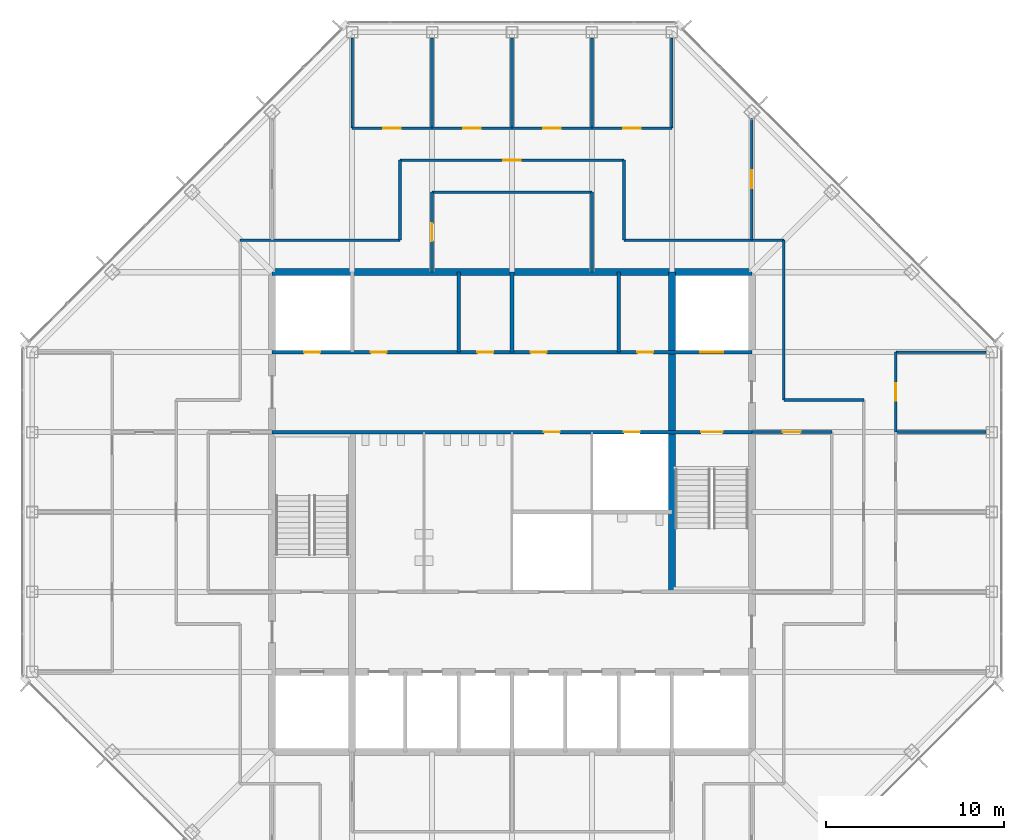
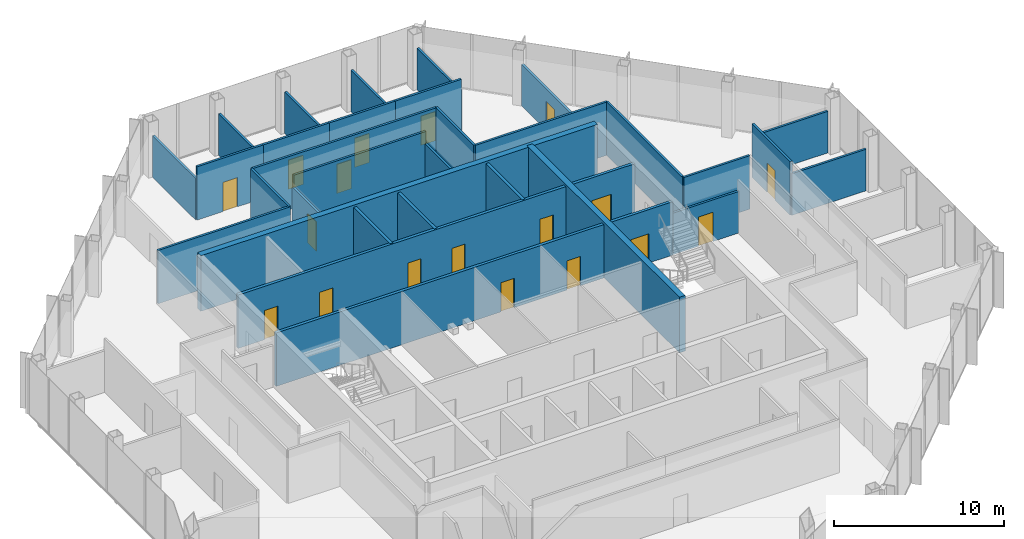
# One storey, part 11 of 14: 31 walls, 18 doors, 18 openings.
"""IFC4 building model written with IfcOpenShell, lengths in metres."""

from ifc_helpers import new_model, si_unit, direction, frame, frame_2d, origin, place, context, subcontext, project, spatial, rectangle, extrude, material, layer, layer_set, type_object, element, fill, save


model = new_model("IFC4")

# Units and contexts
model_context = context("Model", 3, precision=1e-05, world=origin(), true_north=direction((0.0, 1.0)))
body_context = subcontext(model_context, "Body", "Model", "MODEL_VIEW")
ifc_project = project(units=[si_unit("LENGTHUNIT", "METRE"), si_unit("AREAUNIT", "SQUARE_METRE"), si_unit("VOLUMEUNIT", "CUBIC_METRE"), si_unit("PLANEANGLEUNIT", "RADIAN"), si_unit("MASSUNIT", "GRAM", prefix="KILO")], contexts=[model_context])

# Site, building, storey
site_placement = place(None, origin())
site = spatial("IfcSite", under=ifc_project, at=site_placement, CompositionType="ELEMENT")
building_placement = place(site_placement, origin())
building = spatial("IfcBuilding", under=site, at=building_placement, Name="Corais Broadcast Tower", CompositionType="ELEMENT")
storey_placement = place(building_placement, frame((0.0, 0.0, 214.60009765625)))
storey = spatial("IfcBuildingStorey", under=building, at=storey_placement, Name="L49", CompositionType="ELEMENT", Elevation=214.60009765625)

# Wall, openings, doors
ifc_material_1 = material(Name="Concrete blockwork class A, grouted, two-hour", Category="masonry")
ifc_layer_1 = layer(ifc_material_1, 0.199951171875)
ifc_layer_set_1 = layer_set([ifc_layer_1], Name="Concrete blockwork class A, grouted, two-hour")
wall_type_1 = type_object("IfcWallType", Name="Core lobby wall 200", PredefinedType="SOLIDWALL", material=ifc_layer_set_1)
wall_1_placement = place(storey_placement, frame((13.5, 31.5, 0.0), z_axis=(0.0, 0.0, 1.0), x_axis=(1.0, 0.0, 0.0)))
wall_1 = element("IfcWall", 1, at=wall_1_placement, inside=storey, type_object=wall_type_1, Name="CL3 core lobby wall Y315 L49", PredefinedType="SOLIDWALL", context=body_context, shape_type="SweptSolid", body=[
    extrude(rectangle(XDim=27.0, YDim=0.199951171875, at=frame_2d((13.5, 0.0))), origin(), (0.0, 0.0, 1.0), 3.83984375),
])
opening_1_placement = place(wall_1_placement, frame((24.14990234375, 0.0, 0.0)))
opening_1 = element("IfcOpeningElement", 2, at=opening_1_placement, cuts=wall_1, Name="Opening FD1", PredefinedType="OPENING", context=body_context, shape_type="SweptSolid", body=[
    extrude(rectangle(XDim=1.199951171875, YDim=2.10009765625, at=frame_2d((0.60009765625, 1.050048828125))), frame((0.0, 0.10986328125, 0.0), z_axis=(0.0, -1.0, 0.0), x_axis=(1.0, 0.0, 0.0)), (0.0, 0.0, 1.0), 0.219970703125),
])
opening_2_placement = place(wall_1_placement, frame((15.300048828125, 0.0, 0.0)))
opening_2 = element("IfcOpeningElement", 3, at=opening_2_placement, cuts=wall_1, Name="Opening RD1", PredefinedType="OPENING", context=body_context, shape_type="SweptSolid", body=[
    extrude(rectangle(XDim=0.89990234375, YDim=2.10009765625, at=frame_2d((0.449951171875, 1.050048828125))), frame((0.0, 0.10986328125, 0.0), z_axis=(0.0, -1.0, 0.0), x_axis=(1.0, 0.0, 0.0)), (0.0, 0.0, 1.0), 0.219970703125),
])
opening_3_placement = place(wall_1_placement, frame((19.800048828125, 0.0, 0.0)))
opening_3 = element("IfcOpeningElement", 4, at=opening_3_placement, cuts=wall_1, Name="Opening RD1", PredefinedType="OPENING", context=body_context, shape_type="SweptSolid", body=[
    extrude(rectangle(XDim=0.89990234375, YDim=2.10009765625, at=frame_2d((0.449951171875, 1.050048828125))), frame((0.0, 0.10986328125, 0.0), z_axis=(0.0, -1.0, 0.0), x_axis=(1.0, 0.0, 0.0)), (0.0, 0.0, 1.0), 0.219970703125),
])
ifc_material_2 = material(Name="Steel fire door", Category="steel")
door_type_1 = type_object("IfcDoorType", Name="Fire door 1200x2100", OperationType="SINGLE_SWING_LEFT", PredefinedType="DOOR", material=ifc_material_2)
door_1_placement = place(opening_1_placement, origin())
door_1 = element("IfcDoor", 5, at=door_1_placement, inside=storey, type_object=door_type_1, Name="FD1 stair B door L49", OperationType="SINGLE_SWING_RIGHT", OverallHeight=2.10009765625, OverallWidth=1.199951171875, PredefinedType="DOOR", context=body_context, shape_type="SweptSolid", body=[
    extrude(rectangle(XDim=1.199951171875, YDim=2.10009765625, at=frame_2d((0.60009765625, 1.050048828125))), frame((0.0, 0.02490234375, 0.0), z_axis=(0.0, -1.0, 0.0), x_axis=(1.0, 0.0, 0.0)), (0.0, 0.0, 1.0), 0.050048828125),
])
fill(opening_1, door_1)
ifc_material_3 = material(Name="Steel fire door", Category="steel")
door_type_2 = type_object("IfcDoorType", Name="Riser door 900x2100", OperationType="SINGLE_SWING_LEFT", PredefinedType="DOOR", material=ifc_material_3)
door_2_placement = place(opening_2_placement, origin())
door_2 = element("IfcDoor", 6, at=door_2_placement, inside=storey, type_object=door_type_2, Name="RD1 vending room door L49", OperationType="SINGLE_SWING_RIGHT", OverallHeight=2.10009765625, OverallWidth=0.89990234375, PredefinedType="DOOR", context=body_context, shape_type="SweptSolid", body=[
    extrude(rectangle(XDim=0.89990234375, YDim=2.10009765625, at=frame_2d((0.449951171875, 1.050048828125))), frame((0.0, 0.02490234375, 0.0), z_axis=(0.0, -1.0, 0.0), x_axis=(1.0, 0.0, 0.0)), (0.0, 0.0, 1.0), 0.050048828125),
])
fill(opening_2, door_2)
door_3_placement = place(opening_3_placement, origin())
door_3 = element("IfcDoor", 7, at=door_3_placement, inside=storey, type_object=door_type_2, Name="RD1 riser door L49", OperationType="SINGLE_SWING_RIGHT", OverallHeight=2.10009765625, OverallWidth=0.89990234375, PredefinedType="DOOR", context=body_context, shape_type="SweptSolid", body=[
    extrude(rectangle(XDim=0.89990234375, YDim=2.10009765625, at=frame_2d((0.449951171875, 1.050048828125))), frame((0.0, 0.02490234375, 0.0), z_axis=(0.0, -1.0, 0.0), x_axis=(1.0, 0.0, 0.0)), (0.0, 0.0, 1.0), 0.050048828125),
])
fill(opening_3, door_3)

# Walls
ifc_material_4 = material(Name="Concrete C50/60", Category="concrete")
ifc_layer_2 = layer(ifc_material_4, 0.39990234375)
ifc_layer_set_2 = layer_set([ifc_layer_2], Name="Concrete C50/60")
wall_type_2 = type_object("IfcWallType", Name="Core wall 400", PredefinedType="SHEAR", material=ifc_layer_set_2)
wall_2_placement = place(storey_placement, frame((40.5, 40.5, 0.0), z_axis=(0.0, 0.0, 1.0), x_axis=(-1.0, 0.0, 0.0)))
element("IfcWall", 8, at=wall_2_placement, inside=storey, type_object=wall_type_2, Name="CR400 core wall N L49", PredefinedType="SHEAR", context=body_context, shape_type="SweptSolid", body=[
    extrude(rectangle(XDim=27.0, YDim=0.39990234375, at=frame_2d((13.5, 0.0))), origin(), (0.0, 0.0, 1.0), 4.0),
])
wall_3_placement = place(storey_placement, frame((36.0, 22.5, 0.0), z_axis=(0.0, 0.0, 1.0), x_axis=(0.0, 1.0, 0.0)))
element("IfcWall", 9, at=wall_3_placement, inside=storey, type_object=wall_type_2, Name="CR400 core wall X36B L49", PredefinedType="SHEAR", context=body_context, shape_type="SweptSolid", body=[
    extrude(rectangle(XDim=18.0, YDim=0.39990234375, at=frame_2d((9.0, 0.0))), origin(), (0.0, 0.0, 1.0), 4.0),
])

# Wall, openings, doors
ifc_material_5 = material(Name="Concrete blockwork class A, grouted, four-hour", Category="masonry")
ifc_layer_3 = layer(ifc_material_5, 0.199951171875)
ifc_layer_set_3 = layer_set([ifc_layer_3], Name="Concrete blockwork class A, grouted, four-hour")
wall_type_3 = type_object("IfcWallType", Name="Emergency lift shaft wall 200", PredefinedType="SOLIDWALL", material=ifc_layer_set_3)
wall_4_placement = place(storey_placement, frame((13.5, 36.0, 0.0), z_axis=(0.0, 0.0, 1.0), x_axis=(1.0, 0.0, 0.0)))
wall_4 = element("IfcWall", 10, at=wall_4_placement, inside=storey, type_object=wall_type_3, Name="LS3 core lobby wall Y36 L49", PredefinedType="SOLIDWALL", context=body_context, shape_type="SweptSolid", body=[
    extrude(rectangle(XDim=27.0, YDim=0.199951171875, at=frame_2d((13.5, 0.0))), origin(), (0.0, 0.0, 1.0), 3.83984375),
])
opening_4_placement = place(wall_4_placement, frame((1.800048828125, 0.0, 0.0)))
opening_4 = element("IfcOpeningElement", 11, at=opening_4_placement, cuts=wall_4, Name="Opening RD1", PredefinedType="OPENING", context=body_context, shape_type="SweptSolid", body=[
    extrude(rectangle(XDim=0.89990234375, YDim=2.10009765625, at=frame_2d((0.449951171875, 1.050048828125))), frame((0.0, 0.10986328125, 0.0), z_axis=(0.0, -1.0, 0.0), x_axis=(1.0, 0.0, 0.0)), (0.0, 0.0, 1.0), 0.219970703125),
])
opening_5_placement = place(wall_4_placement, frame((5.550048828125, 0.0, 0.0)))
opening_5 = element("IfcOpeningElement", 12, at=opening_5_placement, cuts=wall_4, Name="Opening RD1", PredefinedType="OPENING", context=body_context, shape_type="SweptSolid", body=[
    extrude(rectangle(XDim=0.89990234375, YDim=2.10009765625, at=frame_2d((0.449951171875, 1.050048828125))), frame((0.0, 0.10986328125, 0.0), z_axis=(0.0, -1.0, 0.0), x_axis=(1.0, 0.0, 0.0)), (0.0, 0.0, 1.0), 0.219970703125),
])
opening_6_placement = place(wall_4_placement, frame((11.550048828125, 0.0, 0.0)))
opening_6 = element("IfcOpeningElement", 13, at=opening_6_placement, cuts=wall_4, Name="Opening RD1", PredefinedType="OPENING", context=body_context, shape_type="SweptSolid", body=[
    extrude(rectangle(XDim=0.89990234375, YDim=2.10009765625, at=frame_2d((0.449951171875, 1.050048828125))), frame((0.0, 0.10986328125, 0.0), z_axis=(0.0, -1.0, 0.0), x_axis=(1.0, 0.0, 0.0)), (0.0, 0.0, 1.0), 0.219970703125),
])
opening_7_placement = place(wall_4_placement, frame((14.550048828125, 0.0, 0.0)))
opening_7 = element("IfcOpeningElement", 14, at=opening_7_placement, cuts=wall_4, Name="Opening RD1", PredefinedType="OPENING", context=body_context, shape_type="SweptSolid", body=[
    extrude(rectangle(XDim=0.89990234375, YDim=2.10009765625, at=frame_2d((0.449951171875, 1.050048828125))), frame((0.0, 0.10986328125, 0.0), z_axis=(0.0, -1.0, 0.0), x_axis=(1.0, 0.0, 0.0)), (0.0, 0.0, 1.0), 0.219970703125),
])
opening_8_placement = place(wall_4_placement, frame((20.550048828125, 0.0, 0.0)))
opening_8 = element("IfcOpeningElement", 15, at=opening_8_placement, cuts=wall_4, Name="Opening RD1", PredefinedType="OPENING", context=body_context, shape_type="SweptSolid", body=[
    extrude(rectangle(XDim=0.89990234375, YDim=2.10009765625, at=frame_2d((0.449951171875, 1.050048828125))), frame((0.0, 0.10986328125, 0.0), z_axis=(0.0, -1.0, 0.0), x_axis=(1.0, 0.0, 0.0)), (0.0, 0.0, 1.0), 0.219970703125),
])
opening_9_placement = place(wall_4_placement, frame((24.10009765625, 0.0, 0.0)))
opening_9 = element("IfcOpeningElement", 16, at=opening_9_placement, cuts=wall_4, Name="Opening LD2", PredefinedType="OPENING", context=body_context, shape_type="SweptSolid", body=[
    extrude(rectangle(XDim=1.300048828125, YDim=2.199951171875, at=frame_2d((0.64990234375, 1.10009765625))), frame((0.0, 0.10986328125, 0.0), z_axis=(0.0, -1.0, 0.0), x_axis=(1.0, 0.0, 0.0)), (0.0, 0.0, 1.0), 0.219970703125),
])
ifc_material_6 = material(Name="Stainless steel lift door", Category="steel")
door_type_3 = type_object("IfcDoorType", Name="Lift landing door 1300x2200", OperationType="SLIDING_TO_LEFT", PredefinedType="DOOR", material=ifc_material_6)
door_4_placement = place(opening_9_placement, origin())
door_4 = element("IfcDoor", 17, at=door_4_placement, inside=storey, type_object=door_type_3, Name="LD2 FL2 landing door L49", OperationType="SLIDING_TO_LEFT", OverallHeight=2.199951171875, OverallWidth=1.300048828125, PredefinedType="DOOR", context=body_context, shape_type="SweptSolid", body=[
    extrude(rectangle(XDim=1.300048828125, YDim=2.199951171875, at=frame_2d((0.64990234375, 1.10009765625))), frame((0.0, 0.02490234375, 0.0), z_axis=(0.0, -1.0, 0.0), x_axis=(1.0, 0.0, 0.0)), (0.0, 0.0, 1.0), 0.050048828125),
])
fill(opening_9, door_4)
door_5_placement = place(opening_4_placement, origin())
door_5 = element("IfcDoor", 18, at=door_5_placement, inside=storey, type_object=door_type_2, Name="RD1 riser door L49", OperationType="SINGLE_SWING_LEFT", OverallHeight=2.10009765625, OverallWidth=0.89990234375, PredefinedType="DOOR", context=body_context, shape_type="SweptSolid", body=[
    extrude(rectangle(XDim=0.89990234375, YDim=2.10009765625, at=frame_2d((0.449951171875, 1.050048828125))), frame((0.0, 0.02490234375, 0.0), z_axis=(0.0, -1.0, 0.0), x_axis=(1.0, 0.0, 0.0)), (0.0, 0.0, 1.0), 0.050048828125),
])
fill(opening_4, door_5)
door_6_placement = place(opening_5_placement, origin())
door_6 = element("IfcDoor", 19, at=door_6_placement, inside=storey, type_object=door_type_2, Name="RD1 print room door L49", OperationType="SINGLE_SWING_LEFT", OverallHeight=2.10009765625, OverallWidth=0.89990234375, PredefinedType="DOOR", context=body_context, shape_type="SweptSolid", body=[
    extrude(rectangle(XDim=0.89990234375, YDim=2.10009765625, at=frame_2d((0.449951171875, 1.050048828125))), frame((0.0, 0.02490234375, 0.0), z_axis=(0.0, -1.0, 0.0), x_axis=(1.0, 0.0, 0.0)), (0.0, 0.0, 1.0), 0.050048828125),
])
fill(opening_5, door_6)
door_7_placement = place(opening_6_placement, origin())
door_7 = element("IfcDoor", 20, at=door_7_placement, inside=storey, type_object=door_type_2, Name="RD1 wellness room door L49", OperationType="SINGLE_SWING_LEFT", OverallHeight=2.10009765625, OverallWidth=0.89990234375, PredefinedType="DOOR", context=body_context, shape_type="SweptSolid", body=[
    extrude(rectangle(XDim=0.89990234375, YDim=2.10009765625, at=frame_2d((0.449951171875, 1.050048828125))), frame((0.0, 0.02490234375, 0.0), z_axis=(0.0, -1.0, 0.0), x_axis=(1.0, 0.0, 0.0)), (0.0, 0.0, 1.0), 0.050048828125),
])
fill(opening_6, door_7)
door_8_placement = place(opening_7_placement, origin())
door_8 = element("IfcDoor", 21, at=door_8_placement, inside=storey, type_object=door_type_2, Name="RD1 first aid room door L49", OperationType="SINGLE_SWING_RIGHT", OverallHeight=2.10009765625, OverallWidth=0.89990234375, PredefinedType="DOOR", context=body_context, shape_type="SweptSolid", body=[
    extrude(rectangle(XDim=0.89990234375, YDim=2.10009765625, at=frame_2d((0.449951171875, 1.050048828125))), frame((0.0, 0.02490234375, 0.0), z_axis=(0.0, -1.0, 0.0), x_axis=(1.0, 0.0, 0.0)), (0.0, 0.0, 1.0), 0.050048828125),
])
fill(opening_7, door_8)
door_9_placement = place(opening_8_placement, origin())
door_9 = element("IfcDoor", 22, at=door_9_placement, inside=storey, type_object=door_type_2, Name="RD1 stationery store door L49", OperationType="SINGLE_SWING_RIGHT", OverallHeight=2.10009765625, OverallWidth=0.89990234375, PredefinedType="DOOR", context=body_context, shape_type="SweptSolid", body=[
    extrude(rectangle(XDim=0.89990234375, YDim=2.10009765625, at=frame_2d((0.449951171875, 1.050048828125))), frame((0.0, 0.02490234375, 0.0), z_axis=(0.0, -1.0, 0.0), x_axis=(1.0, 0.0, 0.0)), (0.0, 0.0, 1.0), 0.050048828125),
])
fill(opening_8, door_9)

# Wall, opening, door
ifc_material_7 = material(Name="Gypsum board on steel studs", Category="steel")
ifc_layer_4 = layer(ifc_material_7, 0.14990234375)
ifc_layer_set_4 = layer_set([ifc_layer_4], Name="Gypsum board on steel studs")
wall_type_4 = type_object("IfcWallType", Name="Partition 150", PredefinedType="PARTITIONING", material=ifc_layer_set_4)
wall_5_placement = place(storey_placement, frame((33.300048828125, 46.800048828125, 0.0), z_axis=(0.0, 0.0, 1.0), x_axis=(-1.0, 0.0, 0.0)))
wall_5 = element("IfcWall", 23, at=wall_5_placement, inside=storey, type_object=wall_type_4, Name="IW3 corridor wall L49", PredefinedType="PARTITIONING", context=body_context, shape_type="SweptSolid", body=[
    extrude(rectangle(XDim=12.60009765625, YDim=0.14990234375, at=frame_2d((6.300048828125, 0.0))), origin(), (0.0, 0.0, 1.0), 3.83984375),
])
opening_10_placement = place(wall_5_placement, frame((5.800048828125, 0.0, 0.0)))
opening_10 = element("IfcOpeningElement", 24, at=opening_10_placement, cuts=wall_5, Name="Opening D1", PredefinedType="OPENING", context=body_context, shape_type="SweptSolid", body=[
    extrude(rectangle(XDim=1.0, YDim=2.10009765625, at=frame_2d((0.5, 1.050048828125))), frame((0.0, 0.0849609375, 0.0), z_axis=(0.0, -1.0, 0.0), x_axis=(1.0, 0.0, 0.0)), (0.0, 0.0, 1.0), 0.169921875),
])
ifc_material_8 = material(Name="Timber door", Category="wood")
door_type_4 = type_object("IfcDoorType", Name="Single door 1000x2100", OperationType="SINGLE_SWING_LEFT", PredefinedType="DOOR", material=ifc_material_8)
door_10_placement = place(opening_10_placement, origin())
door_10 = element("IfcDoor", 25, at=door_10_placement, inside=storey, type_object=door_type_4, Name="D1 workplace door L49", OperationType="SINGLE_SWING_LEFT", OverallHeight=2.10009765625, OverallWidth=1.0, PredefinedType="DOOR", context=body_context, shape_type="SweptSolid", body=[
    extrude(rectangle(XDim=1.0, YDim=2.10009765625, at=frame_2d((0.5, 1.050048828125))), frame((0.0, 0.02490234375, 0.0), z_axis=(0.0, -1.0, 0.0), x_axis=(1.0, 0.0, 0.0)), (0.0, 0.0, 1.0), 0.050048828125),
])
fill(opening_10, door_10)

# Walls
for number, where, z_axis, x_axis, name in (
    (26, (20.699951171875, 42.300048828125, 0.0), (0.0, 0.0, 1.0), (-1.0, 0.0, 0.0), "IW3 corridor wall L49"),
    (27, (42.300048828125, 33.300048828125, 0.0), (0.0, 0.0, 1.0), (0.0, 1.0, 0.0), "IW3 corridor wall L49"),
    (28, (42.300048828125, 42.300048828125, 0.0), (0.0, 0.0, 1.0), (-1.0, 0.0, 0.0), "IW3 corridor wall L49"),
):
    element("IfcWall", number, at=place(storey_placement, frame(where, z_axis=z_axis, x_axis=x_axis)), inside=storey, type_object=wall_type_4, Name=name, PredefinedType="PARTITIONING", context=body_context, shape_type="SweptSolid", body=[
        extrude(rectangle(XDim=9.0, YDim=0.14990234375, at=frame_2d((4.5, 0.0))), origin(), (0.0, 0.0, 1.0), 3.83984375),
    ])
for number, where, z_axis, x_axis, name in (
    (29, (20.699951171875, 46.800048828125, 0.0), (0.0, 0.0, 1.0), (0.0, -1.0, 0.0), "IW3 corridor wall L49"),
    (30, (33.300048828125, 42.300048828125, 0.0), (0.0, 0.0, 1.0), (0.0, 1.0, 0.0), "IW3 corridor wall L49"),
    (31, (46.800048828125, 33.300048828125, 0.0), (0.0, 0.0, 1.0), (-1.0, 0.0, 0.0), "IW3 corridor wall L49"),
):
    element("IfcWall", number, at=place(storey_placement, frame(where, z_axis=z_axis, x_axis=x_axis)), inside=storey, type_object=wall_type_4, Name=name, PredefinedType="PARTITIONING", context=body_context, shape_type="SweptSolid", body=[
        extrude(rectangle(XDim=4.5, YDim=0.14990234375, at=frame_2d((2.25, 0.0))), origin(), (0.0, 0.0, 1.0), 3.83984375),
    ])
for number, where, z_axis, x_axis, name in (
    (32, (53.6650390625, 31.5, 0.0), (0.0, 0.0, 1.0), (-1.0, 0.0, 0.0), "IW3 partition L49"),
    (33, (53.6650390625, 36.0, 0.0), (0.0, 0.0, 1.0), (-1.0, 0.0, 0.0), "IW3 partition L49"),
):
    element("IfcWall", number, at=place(storey_placement, frame(where, z_axis=z_axis, x_axis=x_axis)), inside=storey, type_object=wall_type_4, Name=name, PredefinedType="PARTITIONING", context=body_context, shape_type="SweptSolid", body=[
        extrude(rectangle(XDim=5.06494140625, YDim=0.14990234375, at=frame_2d((2.532470703125, 0.0))), origin(), (0.0, 0.0, 1.0), 2.989013671875),
    ])

# Wall, opening, door
wall_6_placement = place(storey_placement, frame((48.60009765625, 36.0, 0.0), z_axis=(0.0, 0.0, 1.0), x_axis=(0.0, -1.0, 0.0)))
wall_6 = element("IfcWall", 34, at=wall_6_placement, inside=storey, type_object=wall_type_4, Name="IW3 partition L49", PredefinedType="PARTITIONING", context=body_context, shape_type="SweptSolid", body=[
    extrude(rectangle(XDim=4.5, YDim=0.14990234375, at=frame_2d((2.25, 0.0))), origin(), (0.0, 0.0, 1.0), 3.83984375),
])
opening_11_placement = place(wall_6_placement, frame((1.75, 0.0, 0.0)))
opening_11 = element("IfcOpeningElement", 35, at=opening_11_placement, cuts=wall_6, Name="Opening D1", PredefinedType="OPENING", context=body_context, shape_type="SweptSolid", body=[
    extrude(rectangle(XDim=1.0, YDim=2.10009765625, at=frame_2d((0.5, 1.050048828125))), frame((0.0, 0.0849609375, 0.0), z_axis=(0.0, -1.0, 0.0), x_axis=(1.0, 0.0, 0.0)), (0.0, 0.0, 1.0), 0.169921875),
])
door_11_placement = place(opening_11_placement, origin())
door_11 = element("IfcDoor", 36, at=door_11_placement, inside=storey, type_object=door_type_4, Name="D1 Office door", OperationType="SINGLE_SWING_LEFT", OverallHeight=2.10009765625, OverallWidth=1.0, PredefinedType="DOOR", context=body_context, shape_type="SweptSolid", body=[
    extrude(rectangle(XDim=1.0, YDim=2.10009765625, at=frame_2d((0.5, 1.050048828125))), frame((0.0, 0.02490234375, 0.0), z_axis=(0.0, -1.0, 0.0), x_axis=(1.0, 0.0, 0.0)), (0.0, 0.0, 1.0), 0.050048828125),
])
fill(opening_11, door_11)

wall_7_placement = place(storey_placement, frame((18.0, 48.60009765625, 0.0), z_axis=(0.0, 0.0, 1.0), x_axis=(1.0, 0.0, 0.0)))
wall_7 = element("IfcWall", 37, at=wall_7_placement, inside=storey, type_object=wall_type_4, Name="IW3 partition L49", PredefinedType="PARTITIONING", context=body_context, shape_type="SweptSolid", body=[
    extrude(rectangle(XDim=4.5, YDim=0.14990234375, at=frame_2d((2.25, 0.0))), origin(), (0.0, 0.0, 1.0), 3.83984375),
])
opening_12_placement = place(wall_7_placement, frame((1.75, 0.0, 0.0)))
opening_12 = element("IfcOpeningElement", 38, at=opening_12_placement, cuts=wall_7, Name="Opening D1", PredefinedType="OPENING", context=body_context, shape_type="SweptSolid", body=[
    extrude(rectangle(XDim=1.0, YDim=2.10009765625, at=frame_2d((0.5, 1.050048828125))), frame((0.0, 0.0849609375, 0.0), z_axis=(0.0, -1.0, 0.0), x_axis=(1.0, 0.0, 0.0)), (0.0, 0.0, 1.0), 0.169921875),
])
door_12_placement = place(opening_12_placement, origin())
door_12 = element("IfcDoor", 39, at=door_12_placement, inside=storey, type_object=door_type_4, Name="D1 Office door", OperationType="SINGLE_SWING_LEFT", OverallHeight=2.10009765625, OverallWidth=1.0, PredefinedType="DOOR", context=body_context, shape_type="SweptSolid", body=[
    extrude(rectangle(XDim=1.0, YDim=2.10009765625, at=frame_2d((0.5, 1.050048828125))), frame((0.0, 0.02490234375, 0.0), z_axis=(0.0, -1.0, 0.0), x_axis=(1.0, 0.0, 0.0)), (0.0, 0.0, 1.0), 0.050048828125),
])
fill(opening_12, door_12)

# Walls
for number, where, z_axis, x_axis, name in (
    (40, (22.5, 48.60009765625, 0.0), (0.0, 0.0, 1.0), (0.0, 1.0, 0.0), "IW3 partition L49"),
    (41, (18.0, 53.6650390625, 0.0), (0.0, 0.0, 1.0), (0.0, -1.0, 0.0), "IW3 partition L49"),
):
    element("IfcWall", number, at=place(storey_placement, frame(where, z_axis=z_axis, x_axis=x_axis)), inside=storey, type_object=wall_type_4, Name=name, PredefinedType="PARTITIONING", context=body_context, shape_type="SweptSolid", body=[
        extrude(rectangle(XDim=5.06494140625, YDim=0.14990234375, at=frame_2d((2.532470703125, 0.0))), origin(), (0.0, 0.0, 1.0), 2.989013671875),
    ])

# Wall, opening, door
wall_8_placement = place(storey_placement, frame((22.5, 48.60009765625, 0.0), z_axis=(0.0, 0.0, 1.0), x_axis=(1.0, 0.0, 0.0)))
wall_8 = element("IfcWall", 42, at=wall_8_placement, inside=storey, type_object=wall_type_4, Name="IW3 partition L49", PredefinedType="PARTITIONING", context=body_context, shape_type="SweptSolid", body=[
    extrude(rectangle(XDim=4.5, YDim=0.14990234375, at=frame_2d((2.25, 0.0))), origin(), (0.0, 0.0, 1.0), 3.83984375),
])
opening_13_placement = place(wall_8_placement, frame((1.75, 0.0, 0.0)))
opening_13 = element("IfcOpeningElement", 43, at=opening_13_placement, cuts=wall_8, Name="Opening D1", PredefinedType="OPENING", context=body_context, shape_type="SweptSolid", body=[
    extrude(rectangle(XDim=1.0, YDim=2.10009765625, at=frame_2d((0.5, 1.050048828125))), frame((0.0, 0.0849609375, 0.0), z_axis=(0.0, -1.0, 0.0), x_axis=(1.0, 0.0, 0.0)), (0.0, 0.0, 1.0), 0.169921875),
])
door_13_placement = place(opening_13_placement, origin())
door_13 = element("IfcDoor", 44, at=door_13_placement, inside=storey, type_object=door_type_4, Name="D1 Office door", OperationType="SINGLE_SWING_LEFT", OverallHeight=2.10009765625, OverallWidth=1.0, PredefinedType="DOOR", context=body_context, shape_type="SweptSolid", body=[
    extrude(rectangle(XDim=1.0, YDim=2.10009765625, at=frame_2d((0.5, 1.050048828125))), frame((0.0, 0.02490234375, 0.0), z_axis=(0.0, -1.0, 0.0), x_axis=(1.0, 0.0, 0.0)), (0.0, 0.0, 1.0), 0.050048828125),
])
fill(opening_13, door_13)

# Wall
wall_9_placement = place(storey_placement, frame((27.0, 48.60009765625, 0.0), z_axis=(0.0, 0.0, 1.0), x_axis=(0.0, 1.0, 0.0)))
element("IfcWall", 45, at=wall_9_placement, inside=storey, type_object=wall_type_4, Name="IW3 partition L49", PredefinedType="PARTITIONING", context=body_context, shape_type="SweptSolid", body=[
    extrude(rectangle(XDim=5.06494140625, YDim=0.14990234375, at=frame_2d((2.532470703125, 0.0))), origin(), (0.0, 0.0, 1.0), 2.989013671875),
])

# Wall, opening, door
wall_10_placement = place(storey_placement, frame((27.0, 48.60009765625, 0.0), z_axis=(0.0, 0.0, 1.0), x_axis=(1.0, 0.0, 0.0)))
wall_10 = element("IfcWall", 46, at=wall_10_placement, inside=storey, type_object=wall_type_4, Name="IW3 partition L49", PredefinedType="PARTITIONING", context=body_context, shape_type="SweptSolid", body=[
    extrude(rectangle(XDim=4.5, YDim=0.14990234375, at=frame_2d((2.25, 0.0))), origin(), (0.0, 0.0, 1.0), 3.83984375),
])
opening_14_placement = place(wall_10_placement, frame((1.75, 0.0, 0.0)))
opening_14 = element("IfcOpeningElement", 47, at=opening_14_placement, cuts=wall_10, Name="Opening D1", PredefinedType="OPENING", context=body_context, shape_type="SweptSolid", body=[
    extrude(rectangle(XDim=1.0, YDim=2.10009765625, at=frame_2d((0.5, 1.050048828125))), frame((0.0, 0.0849609375, 0.0), z_axis=(0.0, -1.0, 0.0), x_axis=(1.0, 0.0, 0.0)), (0.0, 0.0, 1.0), 0.169921875),
])
door_14_placement = place(opening_14_placement, origin())
door_14 = element("IfcDoor", 48, at=door_14_placement, inside=storey, type_object=door_type_4, Name="D1 Office door", OperationType="SINGLE_SWING_LEFT", OverallHeight=2.10009765625, OverallWidth=1.0, PredefinedType="DOOR", context=body_context, shape_type="SweptSolid", body=[
    extrude(rectangle(XDim=1.0, YDim=2.10009765625, at=frame_2d((0.5, 1.050048828125))), frame((0.0, 0.02490234375, 0.0), z_axis=(0.0, -1.0, 0.0), x_axis=(1.0, 0.0, 0.0)), (0.0, 0.0, 1.0), 0.050048828125),
])
fill(opening_14, door_14)

# Wall
wall_11_placement = place(storey_placement, frame((31.5, 48.60009765625, 0.0), z_axis=(0.0, 0.0, 1.0), x_axis=(0.0, 1.0, 0.0)))
element("IfcWall", 49, at=wall_11_placement, inside=storey, type_object=wall_type_4, Name="IW3 partition L49", PredefinedType="PARTITIONING", context=body_context, shape_type="SweptSolid", body=[
    extrude(rectangle(XDim=5.06494140625, YDim=0.14990234375, at=frame_2d((2.532470703125, 0.0))), origin(), (0.0, 0.0, 1.0), 2.989013671875),
])

# Wall, opening, door
wall_12_placement = place(storey_placement, frame((31.5, 48.60009765625, 0.0), z_axis=(0.0, 0.0, 1.0), x_axis=(1.0, 0.0, 0.0)))
wall_12 = element("IfcWall", 50, at=wall_12_placement, inside=storey, type_object=wall_type_4, Name="IW3 partition L49", PredefinedType="PARTITIONING", context=body_context, shape_type="SweptSolid", body=[
    extrude(rectangle(XDim=4.5, YDim=0.14990234375, at=frame_2d((2.25, 0.0))), origin(), (0.0, 0.0, 1.0), 3.83984375),
])
opening_15_placement = place(wall_12_placement, frame((1.75, 0.0, 0.0)))
opening_15 = element("IfcOpeningElement", 51, at=opening_15_placement, cuts=wall_12, Name="Opening D1", PredefinedType="OPENING", context=body_context, shape_type="SweptSolid", body=[
    extrude(rectangle(XDim=1.0, YDim=2.10009765625, at=frame_2d((0.5, 1.050048828125))), frame((0.0, 0.0849609375, 0.0), z_axis=(0.0, -1.0, 0.0), x_axis=(1.0, 0.0, 0.0)), (0.0, 0.0, 1.0), 0.169921875),
])
door_15_placement = place(opening_15_placement, origin())
door_15 = element("IfcDoor", 52, at=door_15_placement, inside=storey, type_object=door_type_4, Name="D1 Office door", OperationType="SINGLE_SWING_LEFT", OverallHeight=2.10009765625, OverallWidth=1.0, PredefinedType="DOOR", context=body_context, shape_type="SweptSolid", body=[
    extrude(rectangle(XDim=1.0, YDim=2.10009765625, at=frame_2d((0.5, 1.050048828125))), frame((0.0, 0.02490234375, 0.0), z_axis=(0.0, -1.0, 0.0), x_axis=(1.0, 0.0, 0.0)), (0.0, 0.0, 1.0), 0.050048828125),
])
fill(opening_15, door_15)

# Walls
wall_13_placement = place(storey_placement, frame((36.0, 48.60009765625, 0.0), z_axis=(0.0, 0.0, 1.0), x_axis=(0.0, 1.0, 0.0)))
element("IfcWall", 53, at=wall_13_placement, inside=storey, type_object=wall_type_4, Name="IW3 partition L49", PredefinedType="PARTITIONING", context=body_context, shape_type="SweptSolid", body=[
    extrude(rectangle(XDim=5.06494140625, YDim=0.14990234375, at=frame_2d((2.532470703125, 0.0))), origin(), (0.0, 0.0, 1.0), 2.989013671875),
])
wall_14_placement = place(storey_placement, frame((31.5, 40.5, 0.0), z_axis=(0.0, 0.0, 1.0), x_axis=(0.0, 1.0, 0.0)))
element("IfcWall", 54, at=wall_14_placement, inside=storey, type_object=wall_type_4, Name="IW3 partition L49", PredefinedType="PARTITIONING", context=body_context, shape_type="SweptSolid", body=[
    extrude(rectangle(XDim=4.5, YDim=0.14990234375, at=frame_2d((2.25, 0.0))), origin(), (0.0, 0.0, 1.0), 2.989013671875),
])
wall_15_placement = place(storey_placement, frame((31.5, 45.0, 0.0), z_axis=(0.0, 0.0, 1.0), x_axis=(-1.0, 0.0, 0.0)))
element("IfcWall", 55, at=wall_15_placement, inside=storey, type_object=wall_type_4, Name="IW3 partition L49", PredefinedType="PARTITIONING", context=body_context, shape_type="SweptSolid", body=[
    extrude(rectangle(XDim=9.0, YDim=0.14990234375, at=frame_2d((4.5, 0.0))), origin(), (0.0, 0.0, 1.0), 3.83984375),
])

# Wall, opening, door
wall_16_placement = place(storey_placement, frame((22.5, 45.0, 0.0), z_axis=(0.0, 0.0, 1.0), x_axis=(0.0, -1.0, 0.0)))
wall_16 = element("IfcWall", 56, at=wall_16_placement, inside=storey, type_object=wall_type_4, Name="IW3 partition L49", PredefinedType="PARTITIONING", context=body_context, shape_type="SweptSolid", body=[
    extrude(rectangle(XDim=4.5, YDim=0.14990234375, at=frame_2d((2.25, 0.0))), origin(), (0.0, 0.0, 1.0), 2.989013671875),
])
opening_16_placement = place(wall_16_placement, frame((1.75, 0.0, 0.0)))
opening_16 = element("IfcOpeningElement", 57, at=opening_16_placement, cuts=wall_16, Name="Opening D1", PredefinedType="OPENING", context=body_context, shape_type="SweptSolid", body=[
    extrude(rectangle(XDim=1.0, YDim=2.10009765625, at=frame_2d((0.5, 1.050048828125))), frame((0.0, 0.0849609375, 0.0), z_axis=(0.0, -1.0, 0.0), x_axis=(1.0, 0.0, 0.0)), (0.0, 0.0, 1.0), 0.169921875),
])
door_16_placement = place(opening_16_placement, origin())
door_16 = element("IfcDoor", 58, at=door_16_placement, inside=storey, type_object=door_type_4, Name="D1 Meeting room door", OperationType="SINGLE_SWING_LEFT", OverallHeight=2.10009765625, OverallWidth=1.0, PredefinedType="DOOR", context=body_context, shape_type="SweptSolid", body=[
    extrude(rectangle(XDim=1.0, YDim=2.10009765625, at=frame_2d((0.5, 1.050048828125))), frame((0.0, 0.02490234375, 0.0), z_axis=(0.0, -1.0, 0.0), x_axis=(1.0, 0.0, 0.0)), (0.0, 0.0, 1.0), 0.050048828125),
])
fill(opening_16, door_16)

wall_17_placement = place(storey_placement, frame((45.0, 31.5, 0.0), z_axis=(0.0, 0.0, 1.0), x_axis=(-1.0, 0.0, 0.0)))
wall_17 = element("IfcWall", 59, at=wall_17_placement, inside=storey, type_object=wall_type_4, Name="IW3 partition L49", PredefinedType="PARTITIONING", context=body_context, shape_type="SweptSolid", body=[
    extrude(rectangle(XDim=4.5, YDim=0.14990234375, at=frame_2d((2.25, 0.0))), origin(), (0.0, 0.0, 1.0), 2.989013671875),
])
opening_17_placement = place(wall_17_placement, frame((1.75, 0.0, 0.0)))
opening_17 = element("IfcOpeningElement", 60, at=opening_17_placement, cuts=wall_17, Name="Opening D1", PredefinedType="OPENING", context=body_context, shape_type="SweptSolid", body=[
    extrude(rectangle(XDim=1.0, YDim=2.10009765625, at=frame_2d((0.5, 1.050048828125))), frame((0.0, 0.0849609375, 0.0), z_axis=(0.0, -1.0, 0.0), x_axis=(1.0, 0.0, 0.0)), (0.0, 0.0, 1.0), 0.169921875),
])
door_17_placement = place(opening_17_placement, origin())
door_17 = element("IfcDoor", 61, at=door_17_placement, inside=storey, type_object=door_type_4, Name="D1 Meeting room door", OperationType="SINGLE_SWING_LEFT", OverallHeight=2.10009765625, OverallWidth=1.0, PredefinedType="DOOR", context=body_context, shape_type="SweptSolid", body=[
    extrude(rectangle(XDim=1.0, YDim=2.10009765625, at=frame_2d((0.5, 1.050048828125))), frame((0.0, 0.02490234375, 0.0), z_axis=(0.0, -1.0, 0.0), x_axis=(1.0, 0.0, 0.0)), (0.0, 0.0, 1.0), 0.050048828125),
])
fill(opening_17, door_17)

wall_18_placement = place(storey_placement, frame((40.5, 49.155029296875, 0.0), z_axis=(0.0, 0.0, 1.0), x_axis=(0.0, -1.0, 0.0)))
wall_18 = element("IfcWall", 62, at=wall_18_placement, inside=storey, type_object=wall_type_4, Name="IW3 partition L49", PredefinedType="PARTITIONING", context=body_context, shape_type="SweptSolid", body=[
    extrude(rectangle(XDim=6.85498046875, YDim=0.14990234375, at=frame_2d((3.427490234375, 0.0))), origin(), (0.0, 0.0, 1.0), 2.989013671875),
])
opening_18_placement = place(wall_18_placement, frame((2.927490234375, 0.0, 0.0)))
opening_18 = element("IfcOpeningElement", 63, at=opening_18_placement, cuts=wall_18, Name="Opening D1", PredefinedType="OPENING", context=body_context, shape_type="SweptSolid", body=[
    extrude(rectangle(XDim=1.0, YDim=2.10009765625, at=frame_2d((0.5, 1.050048828125))), frame((0.0, 0.0849609375, 0.0), z_axis=(0.0, -1.0, 0.0), x_axis=(1.0, 0.0, 0.0)), (0.0, 0.0, 1.0), 0.169921875),
])
door_18_placement = place(opening_18_placement, origin())
door_18 = element("IfcDoor", 64, at=door_18_placement, inside=storey, type_object=door_type_4, Name="D1 team room door L49", OperationType="SINGLE_SWING_LEFT", OverallHeight=2.10009765625, OverallWidth=1.0, PredefinedType="DOOR", context=body_context, shape_type="SweptSolid", body=[
    extrude(rectangle(XDim=1.0, YDim=2.10009765625, at=frame_2d((0.5, 1.050048828125))), frame((0.0, 0.02490234375, 0.0), z_axis=(0.0, -1.0, 0.0), x_axis=(1.0, 0.0, 0.0)), (0.0, 0.0, 1.0), 0.050048828125),
])
fill(opening_18, door_18)

# Walls
ifc_material_9 = material(Name="Concrete blockwork class A, grouted, two-hour", Category="masonry")
ifc_layer_5 = layer(ifc_material_9, 0.199951171875)
ifc_layer_set_5 = layer_set([ifc_layer_5], Name="Concrete blockwork class A, grouted, two-hour")
wall_type_5 = type_object("IfcWallType", Name="Shaft wall 200", PredefinedType="PARTITIONING", material=ifc_layer_set_5)
for number, where, z_axis, x_axis, name in (
    (65, (24.0, 36.0, 0.0), (0.0, 0.0, 1.0), (0.0, 1.0, 0.0), "IW1 shaft wall L49"),
    (66, (27.0, 36.0, 0.0), (0.0, 0.0, 1.0), (0.0, 1.0, 0.0), "IW1 shaft wall L49"),
    (67, (33.0, 36.0, 0.0), (0.0, 0.0, 1.0), (0.0, 1.0, 0.0), "IW1 shaft wall L49"),
):
    element("IfcWall", number, at=place(storey_placement, frame(where, z_axis=z_axis, x_axis=x_axis)), inside=storey, type_object=wall_type_5, Name=name, PredefinedType="PARTITIONING", context=body_context, shape_type="SweptSolid", body=[
        extrude(rectangle(XDim=4.5, YDim=0.199951171875, at=frame_2d((2.25, 0.0))), origin(), (0.0, 0.0, 1.0), 3.83984375),
    ])

save(model, "model.ifc")
